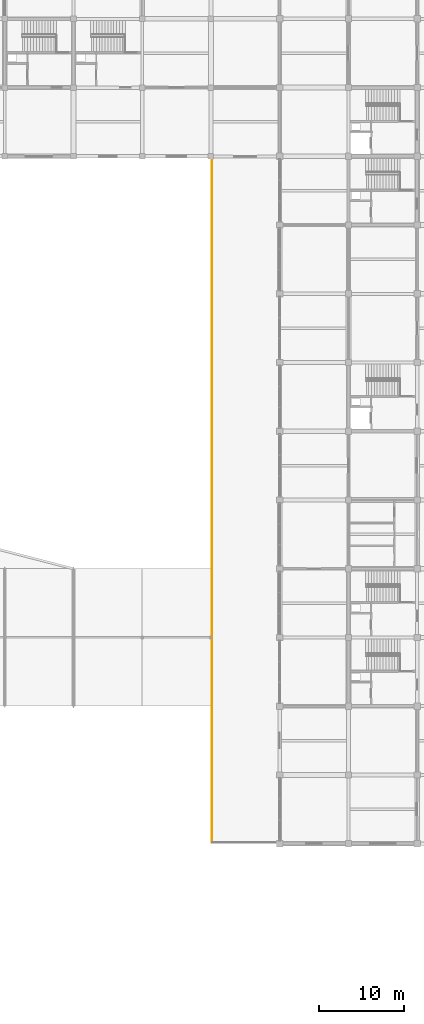
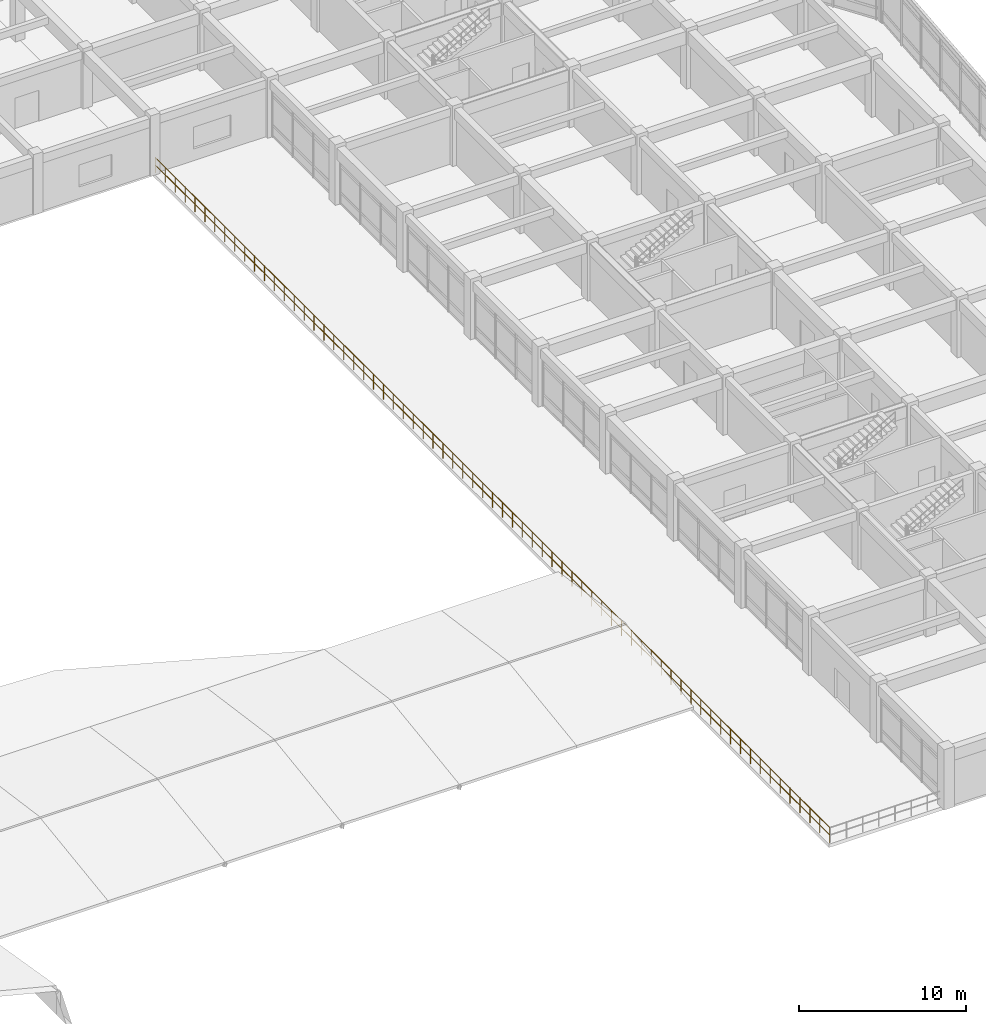
# One storey, part 69 of 70: 1 railing.
"""IFC4 building model written with IfcOpenShell, lengths in metres."""

from ifc_helpers import new_model, si_unit, direction, frame, origin, origin_2d, place, context, subcontext, project, spatial, circle, extrude, material, type_object, element, save


model = new_model("IFC4")

# Units and contexts
model_context = context("Model", 3, precision=1e-05, world=origin(), true_north=direction((0.0, 1.0)))
body_context = subcontext(model_context, "Body", "Model", "MODEL_VIEW")
ifc_project = project(units=[si_unit("LENGTHUNIT", "METRE"), si_unit("AREAUNIT", "SQUARE_METRE"), si_unit("VOLUMEUNIT", "CUBIC_METRE"), si_unit("PLANEANGLEUNIT", "RADIAN"), si_unit("MASSUNIT", "GRAM", prefix="KILO")], contexts=[model_context])

# Site, building, storey
site_placement = place(None, origin())
site = spatial("IfcSite", under=ifc_project, at=site_placement, CompositionType="ELEMENT")
building_placement = place(site_placement, origin())
building = spatial("IfcBuilding", under=site, at=building_placement, Name="Vaudrelin Polytechnic", CompositionType="ELEMENT")
storey_placement = place(building_placement, frame((0.0, 0.0, 14.110107421875)))
storey = spatial("IfcBuildingStorey", under=building, at=storey_placement, Name="L03", CompositionType="ELEMENT", Elevation=14.110107421875)

# Railing
ifc_material = material(Name="Stainless steel AISI 316L", Category="steel")
railing_type = type_object("IfcRailingType", Name="ENV-GR-TER", PredefinedType="GUARDRAIL", material=ifc_material)
railing_placement = place(storey_placement, frame((129.719970703125, 16.320068359375, 0.0)))
element("IfcRailing", 1, at=railing_placement, inside=storey, type_object=railing_type, Name="Sculptural terrace guardrail GRD-CT3-W", PredefinedType="GUARDRAIL", context=body_context, shape_type="SweptSolid", body=[
    extrude(circle(Radius=0.02392578125, at=origin_2d()), frame((0.0, 0.023193359375, 1.09619140625), z_axis=(0.0, 1.0, 0.0), x_axis=(-1.0, 0.0, 0.0)), (0.0, 0.0, 1.0), 80.7138671875),
    extrude(circle(Radius=0.02392578125, at=origin_2d()), frame((0.0, 0.023193359375, 0.56005859375), z_axis=(0.0, 1.0, 0.0), x_axis=(-1.0, 0.0, 0.0)), (0.0, 0.0, 1.0), 80.7138671875),
    extrude(circle(Radius=0.02099609375, at=origin_2d()), origin(), (0.0, 0.0, 1.0), 1.1201171875),
    extrude(circle(Radius=0.02099609375, at=origin_2d()), frame((0.0, 1.187744140625, 0.0)), (0.0, 0.0, 1.0), 1.1201171875),
    extrude(circle(Radius=0.02099609375, at=origin_2d()), frame((0.0, 2.375244140625, 0.0)), (0.0, 0.0, 1.0), 1.1201171875),
    extrude(circle(Radius=0.02099609375, at=origin_2d()), frame((0.0, 3.56298828125, 0.0)), (0.0, 0.0, 1.0), 1.1201171875),
    extrude(circle(Radius=0.02099609375, at=origin_2d()), frame((0.0, 4.75048828125, 0.0)), (0.0, 0.0, 1.0), 1.1201171875),
    extrude(circle(Radius=0.02099609375, at=origin_2d()), frame((0.0, 5.938232421875, 0.0)), (0.0, 0.0, 1.0), 1.1201171875),
    extrude(circle(Radius=0.02099609375, at=origin_2d()), frame((0.0, 7.1259765625, 0.0)), (0.0, 0.0, 1.0), 1.1201171875),
    extrude(circle(Radius=0.02099609375, at=origin_2d()), frame((0.0, 8.3134765625, 0.0)), (0.0, 0.0, 1.0), 1.1201171875),
    extrude(circle(Radius=0.02099609375, at=origin_2d()), frame((0.0, 9.501220703125, 0.0)), (0.0, 0.0, 1.0), 1.1201171875),
    extrude(circle(Radius=0.02099609375, at=origin_2d()), frame((0.0, 10.688720703125, 0.0)), (0.0, 0.0, 1.0), 1.1201171875),
    extrude(circle(Radius=0.02099609375, at=origin_2d()), frame((0.0, 11.87646484375, 0.0)), (0.0, 0.0, 1.0), 1.1201171875),
    extrude(circle(Radius=0.02099609375, at=origin_2d()), frame((0.0, 13.064208984375, 0.0)), (0.0, 0.0, 1.0), 1.1201171875),
    extrude(circle(Radius=0.02099609375, at=origin_2d()), frame((0.0, 14.251708984375, 0.0)), (0.0, 0.0, 1.0), 1.1201171875),
    extrude(circle(Radius=0.02099609375, at=origin_2d()), frame((0.0, 15.439453125, 0.0)), (0.0, 0.0, 1.0), 1.1201171875),
    extrude(circle(Radius=0.02099609375, at=origin_2d()), frame((0.0, 16.626953125, 0.0)), (0.0, 0.0, 1.0), 1.1201171875),
    extrude(circle(Radius=0.02099609375, at=origin_2d()), frame((0.0, 17.814697265625, 0.0)), (0.0, 0.0, 1.0), 1.1201171875),
    extrude(circle(Radius=0.02099609375, at=origin_2d()), frame((0.0, 19.00244140625, 0.0)), (0.0, 0.0, 1.0), 1.1201171875),
    extrude(circle(Radius=0.02099609375, at=origin_2d()), frame((0.0, 20.18994140625, 0.0)), (0.0, 0.0, 1.0), 1.1201171875),
    extrude(circle(Radius=0.02099609375, at=origin_2d()), frame((0.0, 21.377685546875, 0.0)), (0.0, 0.0, 1.0), 1.1201171875),
    extrude(circle(Radius=0.02099609375, at=origin_2d()), frame((0.0, 22.565185546875, 0.0)), (0.0, 0.0, 1.0), 1.1201171875),
    extrude(circle(Radius=0.02099609375, at=origin_2d()), frame((0.0, 23.7529296875, 0.0)), (0.0, 0.0, 1.0), 1.1201171875),
    extrude(circle(Radius=0.02099609375, at=origin_2d()), frame((0.0, 24.940673828125, 0.0)), (0.0, 0.0, 1.0), 1.1201171875),
    extrude(circle(Radius=0.02099609375, at=origin_2d()), frame((0.0, 26.128173828125, 0.0)), (0.0, 0.0, 1.0), 1.1201171875),
    extrude(circle(Radius=0.02099609375, at=origin_2d()), frame((0.0, 27.31591796875, 0.0)), (0.0, 0.0, 1.0), 1.1201171875),
    extrude(circle(Radius=0.02099609375, at=origin_2d()), frame((0.0, 28.50341796875, 0.0)), (0.0, 0.0, 1.0), 1.1201171875),
    extrude(circle(Radius=0.02099609375, at=origin_2d()), frame((0.0, 29.691162109375, 0.0)), (0.0, 0.0, 1.0), 1.1201171875),
    extrude(circle(Radius=0.02099609375, at=origin_2d()), frame((0.0, 30.87890625, 0.0)), (0.0, 0.0, 1.0), 1.1201171875),
    extrude(circle(Radius=0.02099609375, at=origin_2d()), frame((0.0, 32.06640625, 0.0)), (0.0, 0.0, 1.0), 1.1201171875),
    extrude(circle(Radius=0.02099609375, at=origin_2d()), frame((0.0, 33.254150390625, 0.0)), (0.0, 0.0, 1.0), 1.1201171875),
    extrude(circle(Radius=0.02099609375, at=origin_2d()), frame((0.0, 34.441650390625, 0.0)), (0.0, 0.0, 1.0), 1.1201171875),
    extrude(circle(Radius=0.02099609375, at=origin_2d()), frame((0.0, 35.62939453125, 0.0)), (0.0, 0.0, 1.0), 1.1201171875),
    extrude(circle(Radius=0.02099609375, at=origin_2d()), frame((0.0, 36.817138671875, 0.0)), (0.0, 0.0, 1.0), 1.1201171875),
    extrude(circle(Radius=0.02099609375, at=origin_2d()), frame((0.0, 38.004638671875, 0.0)), (0.0, 0.0, 1.0), 1.1201171875),
    extrude(circle(Radius=0.02099609375, at=origin_2d()), frame((0.0, 39.1923828125, 0.0)), (0.0, 0.0, 1.0), 1.1201171875),
    extrude(circle(Radius=0.02099609375, at=origin_2d()), frame((0.0, 40.3798828125, 0.0)), (0.0, 0.0, 1.0), 1.1201171875),
    extrude(circle(Radius=0.02099609375, at=origin_2d()), frame((0.0, 41.567626953125, 0.0)), (0.0, 0.0, 1.0), 1.1201171875),
    extrude(circle(Radius=0.02099609375, at=origin_2d()), frame((0.0, 42.75537109375, 0.0)), (0.0, 0.0, 1.0), 1.1201171875),
    extrude(circle(Radius=0.02099609375, at=origin_2d()), frame((0.0, 43.94287109375, 0.0)), (0.0, 0.0, 1.0), 1.1201171875),
    extrude(circle(Radius=0.02099609375, at=origin_2d()), frame((0.0, 45.130615234375, 0.0)), (0.0, 0.0, 1.0), 1.1201171875),
    extrude(circle(Radius=0.02099609375, at=origin_2d()), frame((0.0, 46.318359375, 0.0)), (0.0, 0.0, 1.0), 1.1201171875),
    extrude(circle(Radius=0.02099609375, at=origin_2d()), frame((0.0, 47.505859375, 0.0)), (0.0, 0.0, 1.0), 1.1201171875),
    extrude(circle(Radius=0.02099609375, at=origin_2d()), frame((0.0, 48.693603515625, 0.0)), (0.0, 0.0, 1.0), 1.1201171875),
    extrude(circle(Radius=0.02099609375, at=origin_2d()), frame((0.0, 49.881103515625, 0.0)), (0.0, 0.0, 1.0), 1.1201171875),
    extrude(circle(Radius=0.02099609375, at=origin_2d()), frame((0.0, 51.06884765625, 0.0)), (0.0, 0.0, 1.0), 1.1201171875),
    extrude(circle(Radius=0.02099609375, at=origin_2d()), frame((0.0, 52.256591796875, 0.0)), (0.0, 0.0, 1.0), 1.1201171875),
    extrude(circle(Radius=0.02099609375, at=origin_2d()), frame((0.0, 53.444091796875, 0.0)), (0.0, 0.0, 1.0), 1.1201171875),
    extrude(circle(Radius=0.02099609375, at=origin_2d()), frame((0.0, 54.6318359375, 0.0)), (0.0, 0.0, 1.0), 1.1201171875),
    extrude(circle(Radius=0.02099609375, at=origin_2d()), frame((0.0, 55.8193359375, 0.0)), (0.0, 0.0, 1.0), 1.1201171875),
    extrude(circle(Radius=0.02099609375, at=origin_2d()), frame((0.0, 57.007080078125, 0.0)), (0.0, 0.0, 1.0), 1.1201171875),
    extrude(circle(Radius=0.02099609375, at=origin_2d()), frame((0.0, 58.19482421875, 0.0)), (0.0, 0.0, 1.0), 1.1201171875),
    extrude(circle(Radius=0.02099609375, at=origin_2d()), frame((0.0, 59.38232421875, 0.0)), (0.0, 0.0, 1.0), 1.1201171875),
    extrude(circle(Radius=0.02099609375, at=origin_2d()), frame((0.0, 60.570068359375, 0.0)), (0.0, 0.0, 1.0), 1.1201171875),
    extrude(circle(Radius=0.02099609375, at=origin_2d()), frame((0.0, 61.757568359375, 0.0)), (0.0, 0.0, 1.0), 1.1201171875),
    extrude(circle(Radius=0.02099609375, at=origin_2d()), frame((0.0, 62.9453125, 0.0)), (0.0, 0.0, 1.0), 1.1201171875),
    extrude(circle(Radius=0.02099609375, at=origin_2d()), frame((0.0, 64.133056640625, 0.0)), (0.0, 0.0, 1.0), 1.1201171875),
    extrude(circle(Radius=0.02099609375, at=origin_2d()), frame((0.0, 65.320556640625, 0.0)), (0.0, 0.0, 1.0), 1.1201171875),
    extrude(circle(Radius=0.02099609375, at=origin_2d()), frame((0.0, 66.50830078125, 0.0)), (0.0, 0.0, 1.0), 1.1201171875),
    extrude(circle(Radius=0.02099609375, at=origin_2d()), frame((0.0, 67.69580078125, 0.0)), (0.0, 0.0, 1.0), 1.1201171875),
    extrude(circle(Radius=0.02099609375, at=origin_2d()), frame((0.0, 68.883544921875, 0.0)), (0.0, 0.0, 1.0), 1.1201171875),
    extrude(circle(Radius=0.02099609375, at=origin_2d()), frame((0.0, 70.0712890625, 0.0)), (0.0, 0.0, 1.0), 1.1201171875),
    extrude(circle(Radius=0.02099609375, at=origin_2d()), frame((0.0, 71.2587890625, 0.0)), (0.0, 0.0, 1.0), 1.1201171875),
    extrude(circle(Radius=0.02099609375, at=origin_2d()), frame((0.0, 72.446533203125, 0.0)), (0.0, 0.0, 1.0), 1.1201171875),
    extrude(circle(Radius=0.02099609375, at=origin_2d()), frame((0.0, 73.634033203125, 0.0)), (0.0, 0.0, 1.0), 1.1201171875),
    extrude(circle(Radius=0.02099609375, at=origin_2d()), frame((0.0, 74.82177734375, 0.0)), (0.0, 0.0, 1.0), 1.1201171875),
    extrude(circle(Radius=0.02099609375, at=origin_2d()), frame((0.0, 76.009521484375, 0.0)), (0.0, 0.0, 1.0), 1.1201171875),
    extrude(circle(Radius=0.02099609375, at=origin_2d()), frame((0.0, 77.197021484375, 0.0)), (0.0, 0.0, 1.0), 1.1201171875),
    extrude(circle(Radius=0.02099609375, at=origin_2d()), frame((0.0, 78.384765625, 0.0)), (0.0, 0.0, 1.0), 1.1201171875),
    extrude(circle(Radius=0.02099609375, at=origin_2d()), frame((0.0, 79.572265625, 0.0)), (0.0, 0.0, 1.0), 1.1201171875),
    extrude(circle(Radius=0.02099609375, at=origin_2d()), frame((0.0, 80.760009765625, 0.0)), (0.0, 0.0, 1.0), 1.1201171875),
])

save(model, "model.ifc")
